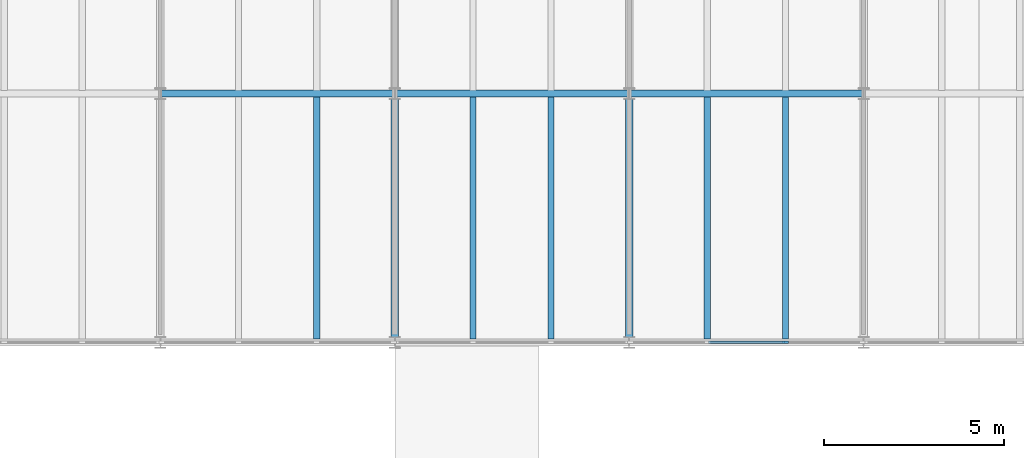
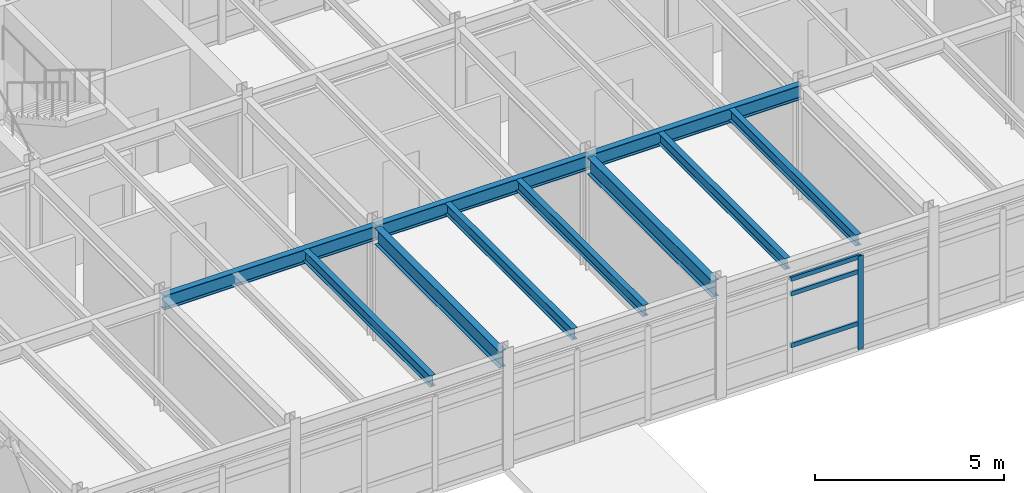
# One storey, part 19 of 49: 10 beams, 4 members, 1 element without a shape of its own.
"""IFC4 building model written with IfcOpenShell, lengths in metres."""

from ifc_helpers import new_model, si_unit, direction, frame, origin, origin_2d, place, context, subcontext, project, spatial, rectangle, i_section, extrude, material, layer, layer_set, material_profile, profile_set, type_object, element, aggregate, save


model = new_model("IFC4")

# Units and contexts
model_context = context("Model", 3, precision=1e-05, world=origin(), true_north=direction((0.0, 1.0)))
body_context = subcontext(model_context, "Body", "Model", "MODEL_VIEW")
ifc_project = project(units=[si_unit("LENGTHUNIT", "METRE"), si_unit("AREAUNIT", "SQUARE_METRE"), si_unit("VOLUMEUNIT", "CUBIC_METRE"), si_unit("PLANEANGLEUNIT", "RADIAN"), si_unit("MASSUNIT", "GRAM", prefix="KILO")], contexts=[model_context])

# Site, building, storey
site_placement = place(None, origin())
site = spatial("IfcSite", under=ifc_project, at=site_placement, CompositionType="ELEMENT")
building_placement = place(site_placement, origin())
building = spatial("IfcBuilding", under=site, at=building_placement, Name="Trelmorton Wharf Fire Station", CompositionType="ELEMENT")
storey_placement = place(building_placement, frame((0.0, 0.0, 9.60009765625)))
storey = spatial("IfcBuildingStorey", under=building, at=storey_placement, Name="L02", CompositionType="ELEMENT", Elevation=9.60009765625)

# Beams
ifc_material_1 = material(Name="Steel Grade 350", Category="steel")
ifc_material_profile_1 = material_profile(ifc_material_1, i_section(OverallWidth=0.19091796875, OverallDepth=0.4599609375, WebThickness=0.010009765625, FlangeThickness=0.01611328125, FilletRadius=0.011474609375, at=origin_2d()), Name="460UB82.1")
ifc_profile_set_1 = profile_set([ifc_material_profile_1], Name="Steel Grade 350")
beam_type_1 = type_object("IfcBeamType", Name="BM_460UB82", PredefinedType="BEAM", material=ifc_profile_set_1)
for number, where, z_axis, x_axis, name in (
    (1, (110.50390625, 67.199951171875, 3.39990234375), (1.0, 0.0, 0.0), (0.0, 1.0, 0.0), "BM-L02-0750"),
    (2, (117.00390625, 67.199951171875, 3.39990234375), (1.0, 0.0, 0.0), (0.0, 1.0, 0.0), "BM-L02-0751"),
    (3, (123.50390625, 67.199951171875, 3.39990234375), (1.0, 0.0, 0.0), (0.0, 1.0, 0.0), "BM-L02-0752"),
):
    element("IfcBeam", number, at=place(storey_placement, frame(where, z_axis=z_axis, x_axis=x_axis)), inside=storey, type_object=beam_type_1, Name=name, PredefinedType="BEAM", context=body_context, shape_type="SweptSolid", body=[
        extrude(i_section(OverallWidth=0.19091796875, OverallDepth=0.4599609375, WebThickness=0.010009765625, FlangeThickness=0.01611328125, FilletRadius=0.011474609375, at=origin_2d()), origin(), (0.0, 0.0, 1.0), 6.4921875),
    ])
ifc_material_profile_2 = material_profile(ifc_material_1, i_section(OverallWidth=0.208984375, OverallDepth=0.532958984375, WebThickness=0.01025390625, FlangeThickness=0.015625, FilletRadius=0.013916015625, at=origin_2d()), Name="530UB92.4")
ifc_profile_set_2 = profile_set([ifc_material_profile_2], Name="Steel Grade 350")
beam_type_2 = type_object("IfcBeamType", Name="BM_530UB92", PredefinedType="BEAM", material=ifc_profile_set_2)
for number, where, z_axis, x_axis, name in (
    (4, (117.0, 60.45361328125, 3.36328125), (0.0, 1.0, 0.0), (-1.0, 0.0, 0.0), "BM-L02-0828"),
    (5, (123.5, 60.45361328125, 3.36328125), (0.0, 1.0, 0.0), (-1.0, 0.0, 0.0), "BM-L02-0834"),
):
    element("IfcBeam", number, at=place(storey_placement, frame(where, z_axis=z_axis, x_axis=x_axis)), inside=storey, type_object=beam_type_2, Name=name, PredefinedType="BEAM", context=body_context, shape_type="SweptSolid", body=[
        extrude(i_section(OverallWidth=0.208984375, OverallDepth=0.532958984375, WebThickness=0.01025390625, FlangeThickness=0.015625, FilletRadius=0.013916015625, at=origin_2d()), origin(), (0.0, 0.0, 1.0), 6.5927734375),
    ])

# Curtain wall, members
ifc_material_2 = material(Name="Anodised aluminium AW-6063", Category="aluminium")
ifc_layer = layer(ifc_material_2, 0.175048828125)
ifc_layer_set = layer_set([ifc_layer], Name="Anodised aluminium AW-6063")
curtain_wall_type = type_object("IfcCurtainWallType", Name="CW_CHIC_B", PredefinedType="USERDEFINED", material=ifc_layer_set)
curtain_wall_placement = place(storey_placement, origin())
curtain_wall = element("IfcCurtainWall", 6, at=curtain_wall_placement, inside=storey, type_object=curtain_wall_type, Name="CW-V4-L02-133", ObjectType="CHICAGO BAY CURTAIN WALL", PredefinedType="USERDEFINED")
ifc_material_profile_3 = material_profile(ifc_material_2, rectangle(XDim=0.06494140625, YDim=0.159912109375, at=origin_2d()), Name="ALU-65x160")
ifc_profile_set_3 = profile_set([ifc_material_profile_3], Name="Anodised aluminium AW-6063")
member_type_1 = type_object("IfcMemberType", Name="CWM_65x160", PredefinedType="MULLION", material=ifc_profile_set_3)
member_1_placement = place(storey_placement, frame((127.831787109375, 60.300048828125, 0.0), z_axis=(0.0, 0.0, 1.0), x_axis=(0.0, -1.0, 0.0)))
member_1 = element("IfcMember", 7, at=member_1_placement, type_object=member_type_1, Name="CW2 mullion 2", PredefinedType="MULLION", context=body_context, shape_type="SweptSolid", body=[
    extrude(rectangle(XDim=0.06494140625, YDim=0.159912109375, at=origin_2d()), origin(), (0.0, 0.0, 1.0), 3.02001953125),
])
ifc_material_profile_4 = material_profile(ifc_material_2, rectangle(XDim=0.06494140625, YDim=0.139892578125, at=origin_2d()), Name="ALU-65x140")
ifc_profile_set_4 = profile_set([ifc_material_profile_4], Name="Anodised aluminium AW-6063")
member_type_2 = type_object("IfcMemberType", Name="CWT_65x140", PredefinedType="USERDEFINED", material=ifc_profile_set_4)
member_2_placement = place(storey_placement, frame((127.8017578125, 60.300048828125, 0.849853515625), z_axis=(-1.0, 0.0, 0.0), x_axis=(0.0, -1.0, 0.0)))
member_2 = element("IfcMember", 8, at=member_2_placement, type_object=member_type_2, Name="CW2 transom 2.2", ObjectType="TRANSOM", PredefinedType="USERDEFINED", context=body_context, shape_type="SweptSolid", body=[
    extrude(rectangle(XDim=0.06494140625, YDim=0.139892578125, at=origin_2d()), origin(), (0.0, 0.0, 1.0), 2.103515625),
])
member_3_placement = place(storey_placement, frame((127.8017578125, 60.300048828125, 2.52001953125), z_axis=(-1.0, 0.0, 0.0), x_axis=(0.0, -1.0, 0.0)))
member_3 = element("IfcMember", 9, at=member_3_placement, type_object=member_type_2, Name="CW2 transom 2.3", ObjectType="TRANSOM", PredefinedType="USERDEFINED", context=body_context, shape_type="SweptSolid", body=[
    extrude(rectangle(XDim=0.06494140625, YDim=0.139892578125, at=origin_2d()), origin(), (0.0, 0.0, 1.0), 2.103515625),
])
member_4_placement = place(storey_placement, frame((127.8017578125, 60.300048828125, 2.989990234375), z_axis=(-1.0, 0.0, 0.0), x_axis=(0.0, -1.0, 0.0)))
member_4 = element("IfcMember", 10, at=member_4_placement, type_object=member_type_2, Name="CW2 transom 2.4", ObjectType="TRANSOM", PredefinedType="USERDEFINED", context=body_context, shape_type="SweptSolid", body=[
    extrude(rectangle(XDim=0.06494140625, YDim=0.139892578125, at=origin_2d()), origin(), (0.0, 0.0, 1.0), 2.103515625),
])
aggregate(curtain_wall, [member_1, member_2, member_3, member_4])

# Beams
ifc_material_profile_5 = material_profile(ifc_material_1, i_section(OverallWidth=0.172119140625, OverallDepth=0.35888671875, WebThickness=0.008056640625, FlangeThickness=0.012939453125, FilletRadius=0.011474609375, at=origin_2d()), Name="360UB56.7")
ifc_profile_set_5 = profile_set([ifc_material_profile_5], Name="Steel Grade 350")
beam_type_3 = type_object("IfcBeamType", Name="JS_360UB57", PredefinedType="JOIST", material=ifc_profile_set_5)
for number, where, z_axis, x_axis, name in (
    (11, (114.833251953125, 60.389892578125, 3.450439453125), (0.0, 1.0, 0.0), (-1.0, 0.0, 0.0), "JS-L02-0254"),
    (12, (119.166748046875, 60.389892578125, 3.450439453125), (0.0, 1.0, 0.0), (-1.0, 0.0, 0.0), "JS-L02-0261"),
    (13, (121.333251953125, 60.389892578125, 3.450439453125), (0.0, 1.0, 0.0), (-1.0, 0.0, 0.0), "JS-L02-0262"),
    (14, (125.666748046875, 60.389892578125, 3.450439453125), (0.0, 1.0, 0.0), (-1.0, 0.0, 0.0), "JS-L02-0273"),
    (15, (127.833251953125, 60.389892578125, 3.450439453125), (0.0, 1.0, 0.0), (-1.0, 0.0, 0.0), "JS-L02-0274"),
):
    element("IfcBeam", number, at=place(storey_placement, frame(where, z_axis=z_axis, x_axis=x_axis)), inside=storey, type_object=beam_type_3, Name=name, PredefinedType="JOIST", context=body_context, shape_type="SweptSolid", body=[
        extrude(i_section(OverallWidth=0.172119140625, OverallDepth=0.35888671875, WebThickness=0.008056640625, FlangeThickness=0.012939453125, FilletRadius=0.011474609375, at=origin_2d()), origin(), (0.0, 0.0, 1.0), 6.72021484375),
    ])

save(model, "model.ifc")
